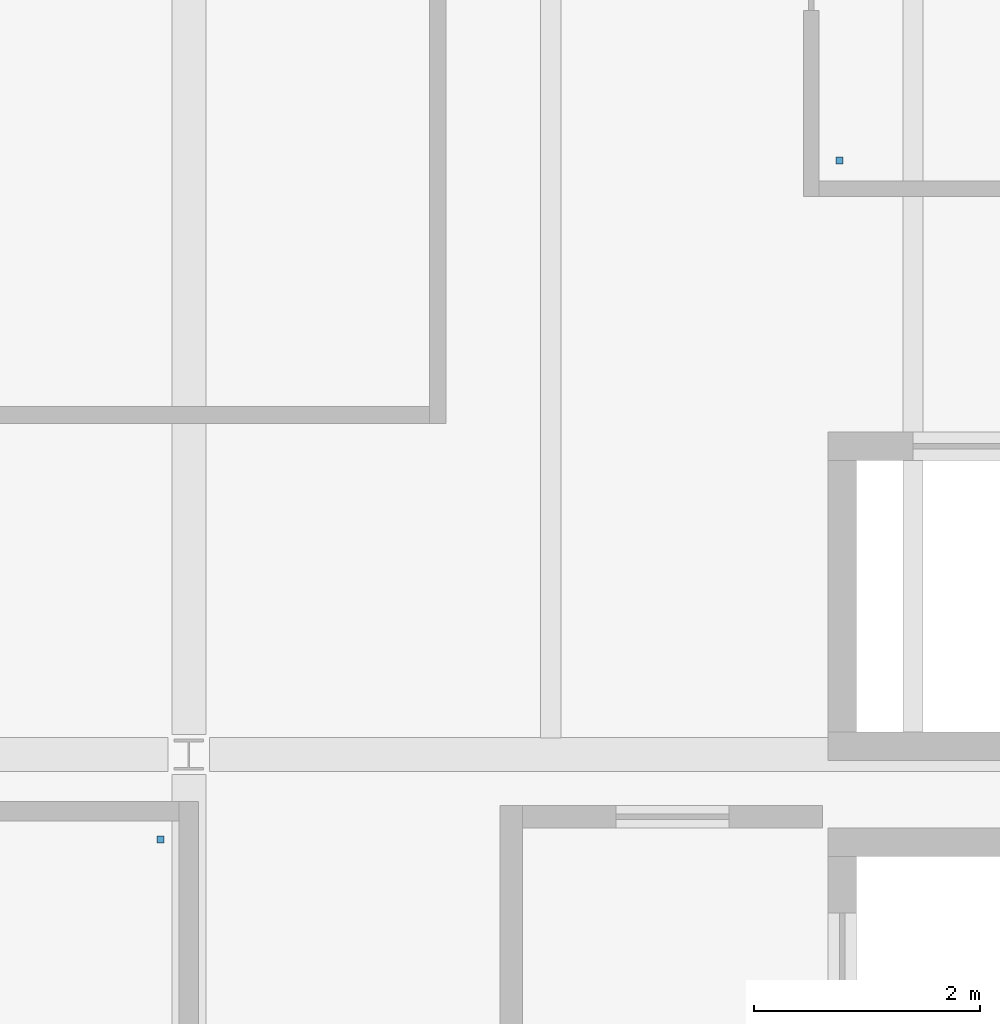
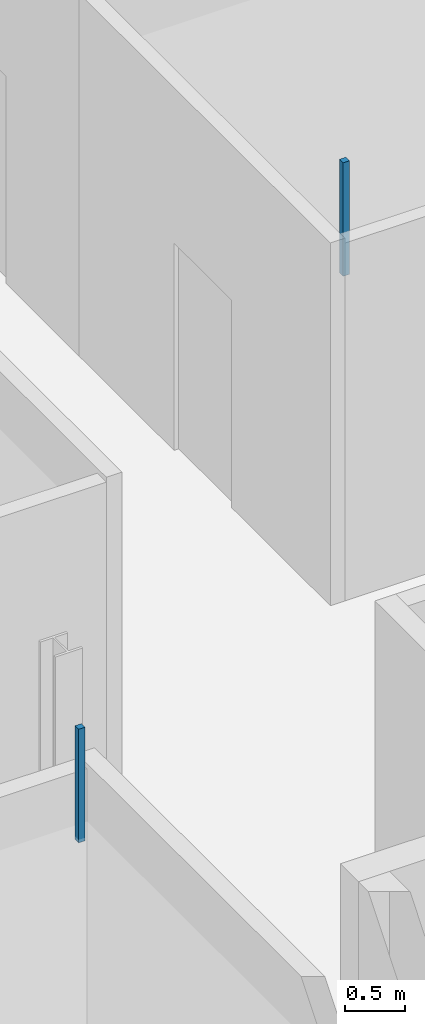
# One storey, part 58 of 93: 2 discrete accessories.
"""IFC4 building model written with IfcOpenShell, lengths in metres."""

from ifc_helpers import new_model, si_unit, direction, frame, origin, place, context, subcontext, project, spatial, polyline, outline, extrude, material, type_object, element, save


model = new_model("IFC4")

# Units and contexts
model_context = context("Model", 3, precision=1e-05, world=origin(), true_north=direction((0.0, 1.0)))
body_context = subcontext(model_context, "Body", "Model", "MODEL_VIEW")
ifc_project = project(units=[si_unit("LENGTHUNIT", "METRE"), si_unit("AREAUNIT", "SQUARE_METRE"), si_unit("VOLUMEUNIT", "CUBIC_METRE"), si_unit("PLANEANGLEUNIT", "RADIAN"), si_unit("MASSUNIT", "GRAM", prefix="KILO")], contexts=[model_context])

# Site, building, storey
site_placement = place(None, origin())
site = spatial("IfcSite", under=ifc_project, at=site_placement, CompositionType="ELEMENT")
building_placement = place(site_placement, origin())
building = spatial("IfcBuilding", under=site, at=building_placement, Name="Dunescarp Central Library", CompositionType="ELEMENT")
storey_placement = place(building_placement, frame((0.0, 0.0, 14.10009765625)))
storey = spatial("IfcBuildingStorey", under=building, at=storey_placement, Name="L03", CompositionType="ELEMENT", Elevation=14.10009765625)

# Discrete accessories
ifc_material = material(Name="Stainless steel Grade 316L", Category="steel")
discrete_accessory_type = type_object("IfcDiscreteAccessoryType", Name="ARC-ACC-BRK", PredefinedType="BRACKET", material=ifc_material)
discrete_accessory_1_placement = place(storey_placement, frame((0.0, 0.0, 3.059814453125)))
element("IfcDiscreteAccessory", 1, at=discrete_accessory_1_placement, inside=storey, type_object=discrete_accessory_type, Name="L03 ceiling hanger CLG-L03-022-H1", PredefinedType="BRACKET", context=body_context, shape_type="SweptSolid", body=[
    extrude(outline(polyline([(29.719970703125, 18.02001953125), (29.780029296875, 18.02001953125), (29.780029296875, 18.080078125), (29.719970703125, 18.080078125), (29.719970703125, 18.02001953125)])), origin(), (0.0, 0.0, 1.0), 1.150146484375),
])
discrete_accessory_2_placement = place(storey_placement, frame((0.0, 0.0, 3.059814453125)))
element("IfcDiscreteAccessory", 2, at=discrete_accessory_2_placement, inside=storey, type_object=discrete_accessory_type, Name="L03 ceiling hanger CLG-L03-025-H2", PredefinedType="BRACKET", context=body_context, shape_type="SweptSolid", body=[
    extrude(outline(polyline([(23.719970703125, 12.02001953125), (23.780029296875, 12.02001953125), (23.780029296875, 12.080078125), (23.719970703125, 12.080078125), (23.719970703125, 12.02001953125)])), origin(), (0.0, 0.0, 1.0), 1.150146484375),
])

save(model, "model.ifc")
